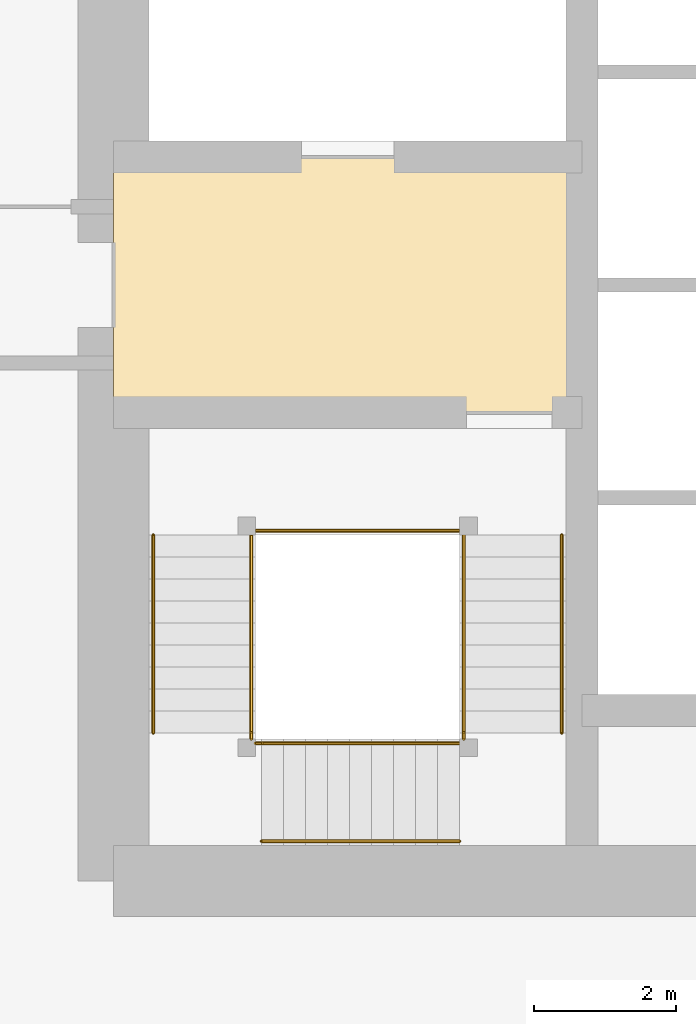
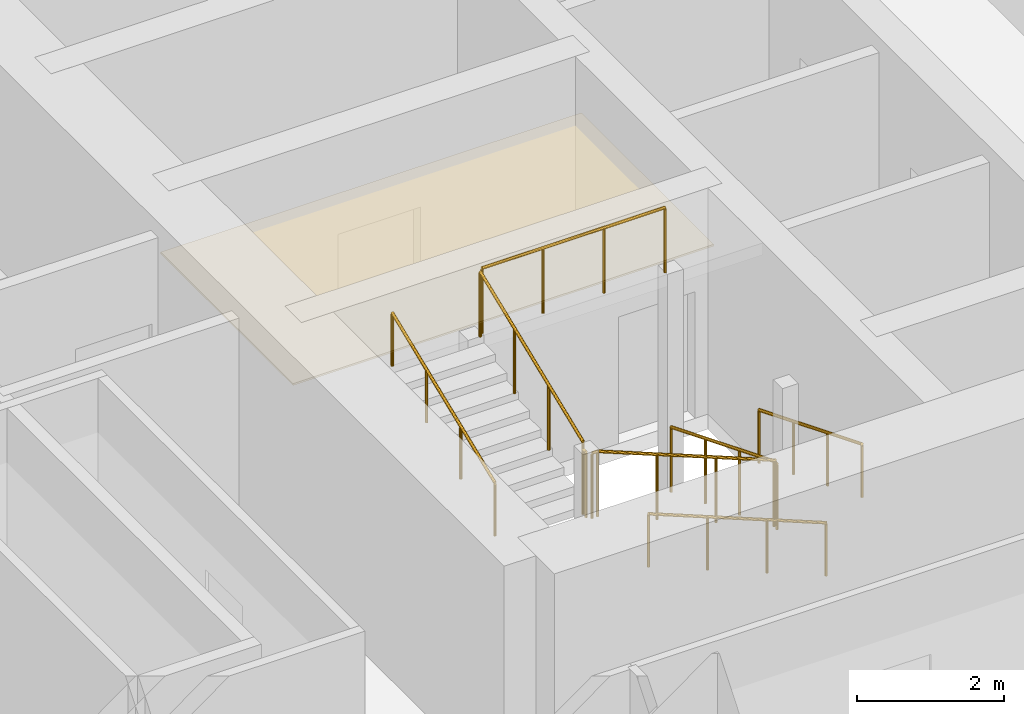
# One storey, part 31 of 36: 10 railings, 1 covering.
"""IFC4 building model written with IfcOpenShell, lengths in metres."""

from ifc_helpers import new_model, si_unit, direction, frame, origin, origin_2d, place, context, subcontext, project, spatial, polyline, circle, outline, extrude, material, layer, layer_set, type_object, element, save


model = new_model("IFC4")

# Units and contexts
model_context = context("Model", 3, precision=1e-05, world=origin(), true_north=direction((0.0, 1.0)))
body_context = subcontext(model_context, "Body", "Model", "MODEL_VIEW")
ifc_project = project(units=[si_unit("LENGTHUNIT", "METRE"), si_unit("AREAUNIT", "SQUARE_METRE"), si_unit("VOLUMEUNIT", "CUBIC_METRE"), si_unit("PLANEANGLEUNIT", "RADIAN"), si_unit("MASSUNIT", "GRAM", prefix="KILO")], contexts=[model_context])

# Site, building, storey
site_placement = place(None, origin())
site = spatial("IfcSite", under=ifc_project, at=site_placement, CompositionType="ELEMENT")
building_placement = place(site_placement, origin())
building = spatial("IfcBuilding", under=site, at=building_placement, Name="Rekha Terrace Tower", CompositionType="ELEMENT")
storey_placement = place(building_placement, frame((0.0, 0.0, 144.050048828125)))
storey = spatial("IfcBuildingStorey", under=building, at=storey_placement, Name="L36", CompositionType="ELEMENT", Elevation=144.050048828125)

# Covering
ifc_material_1 = material(Name="Powder-coated aluminium pan", Category="aluminium")
ifc_layer = layer(ifc_material_1, 0.030029296875)
ifc_layer_set = layer_set([ifc_layer], Name="Powder-coated aluminium pan")
covering_type = type_object("IfcCoveringType", Name="CL3 300x1200 metal pan ceiling", PredefinedType="CEILING", material=ifc_layer_set)
covering_placement = place(storey_placement, frame((0.0, 0.0, 2.570068359375)))
element("IfcCovering", 1, at=covering_placement, inside=storey, type_object=covering_type, Name="Ceiling L36-FLB1", PredefinedType="CEILING", context=body_context, shape_type="SweptSolid", body=[
    extrude(outline(polyline([(31.800048828125, 31.199951171875), (25.199951171875, 31.199951171875), (25.199951171875, 27.60009765625), (31.800048828125, 27.60009765625), (31.800048828125, 31.199951171875)])), origin(), (0.0, 0.0, 1.0), 0.02978515625),
])

# Railings
ifc_material_2 = material(Name="Stainless steel balustrade", Category="steel")
railing_type_1 = type_object("IfcRailingType", Name="GR1 1100 stair guard", PredefinedType="GUARDRAIL", material=ifc_material_2)
railing_1_placement = place(storey_placement, frame((30.135009765625, 25.875, 0.125)))
element("IfcRailing", 2, at=railing_1_placement, inside=storey, type_object=railing_type_1, Name="Guard ST1 L36 flight 1", PredefinedType="GUARDRAIL", context=body_context, shape_type="SweptSolid", body=[
    extrude(circle(Radius=0.02392578125, at=origin_2d()), frame((0.0, 0.0, 1.076171875), z_axis=(0.0, -0.927443287984, 0.373963831907), x_axis=(1.0, 0.0, 0.0)), (0.0, 0.0, 1.0), 3.00830078125),
    extrude(circle(Radius=0.02099609375, at=origin_2d()), origin(), (0.0, 0.0, 1.0), 1.052001953125),
    extrude(circle(Radius=0.02099609375, at=origin_2d()), frame((0.0, -0.929931640625, 0.375)), (0.0, 0.0, 1.0), 1.052001953125),
    extrude(circle(Radius=0.02099609375, at=origin_2d()), frame((0.0, -1.860107421875, 0.75)), (0.0, 0.0, 1.0), 1.052001953125),
    extrude(circle(Radius=0.02099609375, at=origin_2d()), frame((0.0, -2.7900390625, 1.125)), (0.0, 0.0, 1.0), 1.052001953125),
])
railing_2_placement = place(storey_placement, frame((30.074951171875, 22.93994140625, 1.375)))
element("IfcRailing", 3, at=railing_2_placement, inside=storey, type_object=railing_type_1, Name="Guard ST1 L36 flight 2", PredefinedType="GUARDRAIL", context=body_context, shape_type="SweptSolid", body=[
    extrude(circle(Radius=0.02392578125, at=origin_2d()), frame((0.0, 0.0, 1.076171875), z_axis=(-0.927443287984, 0.0, 0.373963831907), x_axis=(0.0, -1.0, 0.0)), (0.0, 0.0, 1.0), 3.00830078125),
    extrude(circle(Radius=0.02099609375, at=origin_2d()), origin(), (0.0, 0.0, 1.0), 1.052001953125),
    extrude(circle(Radius=0.02099609375, at=origin_2d()), frame((-0.929931640625, 0.0, 0.375)), (0.0, 0.0, 1.0), 1.052001953125),
    extrude(circle(Radius=0.02099609375, at=origin_2d()), frame((-1.860107421875, 0.0, 0.75)), (0.0, 0.0, 1.0), 1.052001953125),
    extrude(circle(Radius=0.02099609375, at=origin_2d()), frame((-2.7900390625, 0.0, 1.125)), (0.0, 0.0, 1.0), 1.052001953125),
])
railing_3_placement = place(storey_placement, frame((27.139892578125, 23.0849609375, 2.625)))
element("IfcRailing", 4, at=railing_3_placement, inside=storey, type_object=railing_type_1, Name="Guard ST1 L36 flight 3", PredefinedType="GUARDRAIL", context=body_context, shape_type="SweptSolid", body=[
    extrude(circle(Radius=0.02392578125, at=origin_2d()), frame((0.0, 0.0, 1.076171875), z_axis=(0.0, 0.927443287984, 0.373963831907), x_axis=(-1.0, 0.0, 0.0)), (0.0, 0.0, 1.0), 3.00830078125),
    extrude(circle(Radius=0.02099609375, at=origin_2d()), origin(), (0.0, 0.0, 1.0), 1.052001953125),
    extrude(circle(Radius=0.02099609375, at=origin_2d()), frame((0.0, 0.929931640625, 0.375)), (0.0, 0.0, 1.0), 1.052001953125),
    extrude(circle(Radius=0.02099609375, at=origin_2d()), frame((0.0, 1.860107421875, 0.75)), (0.0, 0.0, 1.0), 1.052001953125),
    extrude(circle(Radius=0.02099609375, at=origin_2d()), frame((0.0, 2.7900390625, 1.125)), (0.0, 0.0, 1.0), 1.052001953125),
])
railing_4_placement = place(storey_placement, frame((30.135009765625, 23.0849609375, 1.25)))
element("IfcRailing", 5, at=railing_4_placement, inside=storey, type_object=railing_type_1, Name="Guard ST1 L36 landing 1", PredefinedType="GUARDRAIL", context=body_context, shape_type="SweptSolid", body=[
    extrude(circle(Radius=0.02392578125, at=origin_2d()), frame((0.0, 0.0, 1.076171875), z_axis=(0.0, -1.0, 0.0), x_axis=(1.0, 0.0, 0.0)), (0.0, 0.0, 1.0), 0.0849609375),
    extrude(circle(Radius=0.02099609375, at=origin_2d()), origin(), (0.0, 0.0, 1.0), 1.052001953125),
    extrude(circle(Radius=0.02099609375, at=origin_2d()), frame((0.0, -0.0849609375, 0.0)), (0.0, 0.0, 1.0), 1.052001953125),
])
railing_5_placement = place(storey_placement, frame((27.284912109375, 22.93994140625, 2.5)))
element("IfcRailing", 6, at=railing_5_placement, inside=storey, type_object=railing_type_1, Name="Guard ST1 L36 landing 2", PredefinedType="GUARDRAIL", context=body_context, shape_type="SweptSolid", body=[
    extrude(circle(Radius=0.02392578125, at=origin_2d()), frame((0.0, 0.0, 1.076171875), z_axis=(-1.0, 0.0, 0.0), x_axis=(0.0, -1.0, 0.0)), (0.0, 0.0, 1.0), 0.0849609375),
    extrude(circle(Radius=0.02099609375, at=origin_2d()), origin(), (0.0, 0.0, 1.0), 1.052001953125),
    extrude(circle(Radius=0.02099609375, at=origin_2d()), frame((-0.0849609375, 0.0, 0.0)), (0.0, 0.0, 1.0), 1.052001953125),
])
railing_6_placement = place(storey_placement, frame((27.139892578125, 23.0849609375, 2.5)))
element("IfcRailing", 7, at=railing_6_placement, inside=storey, type_object=railing_type_1, Name="Guard ST1 L36 landing 3", PredefinedType="GUARDRAIL", context=body_context, shape_type="SweptSolid", body=[
    extrude(circle(Radius=0.02392578125, at=origin_2d()), frame((0.0, 0.0, 1.076171875), z_axis=(0.0, -1.0, 0.0), x_axis=(1.0, 0.0, 0.0)), (0.0, 0.0, 1.0), 0.0849609375),
    extrude(circle(Radius=0.02099609375, at=origin_2d()), origin(), (0.0, 0.0, 1.0), 1.052001953125),
    extrude(circle(Radius=0.02099609375, at=origin_2d()), frame((0.0, -0.0849609375, 0.0)), (0.0, 0.0, 1.0), 1.052001953125),
])
railing_7_placement = place(storey_placement, frame((30.074951171875, 25.93505859375, 3.75)))
element("IfcRailing", 8, at=railing_7_placement, inside=storey, type_object=railing_type_1, Name="Guard ST1 L36 landing 4", PredefinedType="GUARDRAIL", context=body_context, shape_type="SweptSolid", body=[
    extrude(circle(Radius=0.02392578125, at=origin_2d()), frame((0.0, 0.0, 1.076171875), z_axis=(-1.0, 0.0, 0.0), x_axis=(0.0, -1.0, 0.0)), (0.0, 0.0, 1.0), 2.875),
    extrude(circle(Radius=0.02099609375, at=origin_2d()), origin(), (0.0, 0.0, 1.0), 1.052001953125),
    extrude(circle(Radius=0.02099609375, at=origin_2d()), frame((-0.958251953125, 0.0, 0.0)), (0.0, 0.0, 1.0), 1.052001953125),
    extrude(circle(Radius=0.02099609375, at=origin_2d()), frame((-1.916748046875, 0.0, 0.0)), (0.0, 0.0, 1.0), 1.052001953125),
    extrude(circle(Radius=0.02099609375, at=origin_2d()), frame((-2.875, 0.0, 0.0)), (0.0, 0.0, 1.0), 1.052001953125),
])
ifc_material_3 = material(Name="Stainless steel tube", Category="steel")
railing_type_2 = type_object("IfcRailingType", Name="HR1 900 stair handrail", PredefinedType="HANDRAIL", material=ifc_material_3)
railing_8_placement = place(storey_placement, frame((31.514892578125, 25.875, 0.125)))
element("IfcRailing", 9, at=railing_8_placement, inside=storey, type_object=railing_type_2, Name="Handrail ST1 L36 flight 1", PredefinedType="HANDRAIL", context=body_context, shape_type="SweptSolid", body=[
    extrude(circle(Radius=0.02392578125, at=origin_2d()), frame((0.0, 0.0, 0.8759765625), z_axis=(0.0, -0.927443287984, 0.373963831907), x_axis=(1.0, 0.0, 0.0)), (0.0, 0.0, 1.0), 3.00830078125),
    extrude(circle(Radius=0.02099609375, at=origin_2d()), origin(), (0.0, 0.0, 1.0), 0.851806640625),
    extrude(circle(Radius=0.02099609375, at=origin_2d()), frame((0.0, -0.929931640625, 0.375)), (0.0, 0.0, 1.0), 0.851806640625),
    extrude(circle(Radius=0.02099609375, at=origin_2d()), frame((0.0, -1.860107421875, 0.75)), (0.0, 0.0, 1.0), 0.851806640625),
    extrude(circle(Radius=0.02099609375, at=origin_2d()), frame((0.0, -2.7900390625, 1.125)), (0.0, 0.0, 1.0), 0.851806640625),
])
railing_9_placement = place(storey_placement, frame((30.074951171875, 21.56005859375, 1.375)))
element("IfcRailing", 10, at=railing_9_placement, inside=storey, type_object=railing_type_2, Name="Handrail ST1 L36 flight 2", PredefinedType="HANDRAIL", context=body_context, shape_type="SweptSolid", body=[
    extrude(circle(Radius=0.02392578125, at=origin_2d()), frame((0.0, 0.0, 0.8759765625), z_axis=(-0.927443287984, 0.0, 0.373963831907), x_axis=(0.0, -1.0, 0.0)), (0.0, 0.0, 1.0), 3.00830078125),
    extrude(circle(Radius=0.02099609375, at=origin_2d()), origin(), (0.0, 0.0, 1.0), 0.851806640625),
    extrude(circle(Radius=0.02099609375, at=origin_2d()), frame((-0.929931640625, 0.0, 0.375)), (0.0, 0.0, 1.0), 0.851806640625),
    extrude(circle(Radius=0.02099609375, at=origin_2d()), frame((-1.860107421875, 0.0, 0.75)), (0.0, 0.0, 1.0), 0.851806640625),
    extrude(circle(Radius=0.02099609375, at=origin_2d()), frame((-2.7900390625, 0.0, 1.125)), (0.0, 0.0, 1.0), 0.851806640625),
])
railing_10_placement = place(storey_placement, frame((25.760009765625, 23.0849609375, 2.625)))
element("IfcRailing", 11, at=railing_10_placement, inside=storey, type_object=railing_type_2, Name="Handrail ST1 L36 flight 3", PredefinedType="HANDRAIL", context=body_context, shape_type="SweptSolid", body=[
    extrude(circle(Radius=0.02392578125, at=origin_2d()), frame((0.0, 0.0, 0.8759765625), z_axis=(0.0, 0.927443287984, 0.373963831907), x_axis=(-1.0, 0.0, 0.0)), (0.0, 0.0, 1.0), 3.00830078125),
    extrude(circle(Radius=0.02099609375, at=origin_2d()), origin(), (0.0, 0.0, 1.0), 0.851806640625),
    extrude(circle(Radius=0.02099609375, at=origin_2d()), frame((0.0, 0.929931640625, 0.375)), (0.0, 0.0, 1.0), 0.851806640625),
    extrude(circle(Radius=0.02099609375, at=origin_2d()), frame((0.0, 1.860107421875, 0.75)), (0.0, 0.0, 1.0), 0.851806640625),
    extrude(circle(Radius=0.02099609375, at=origin_2d()), frame((0.0, 2.7900390625, 1.125)), (0.0, 0.0, 1.0), 0.851806640625),
])

save(model, "model.ifc")
